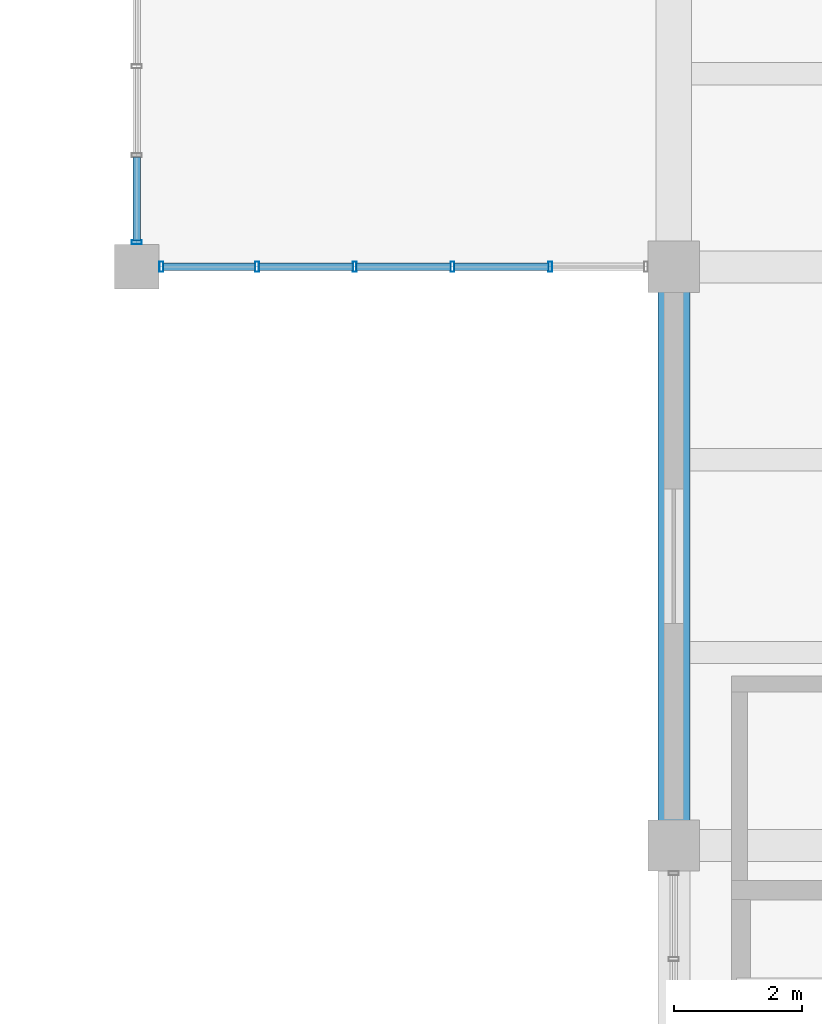
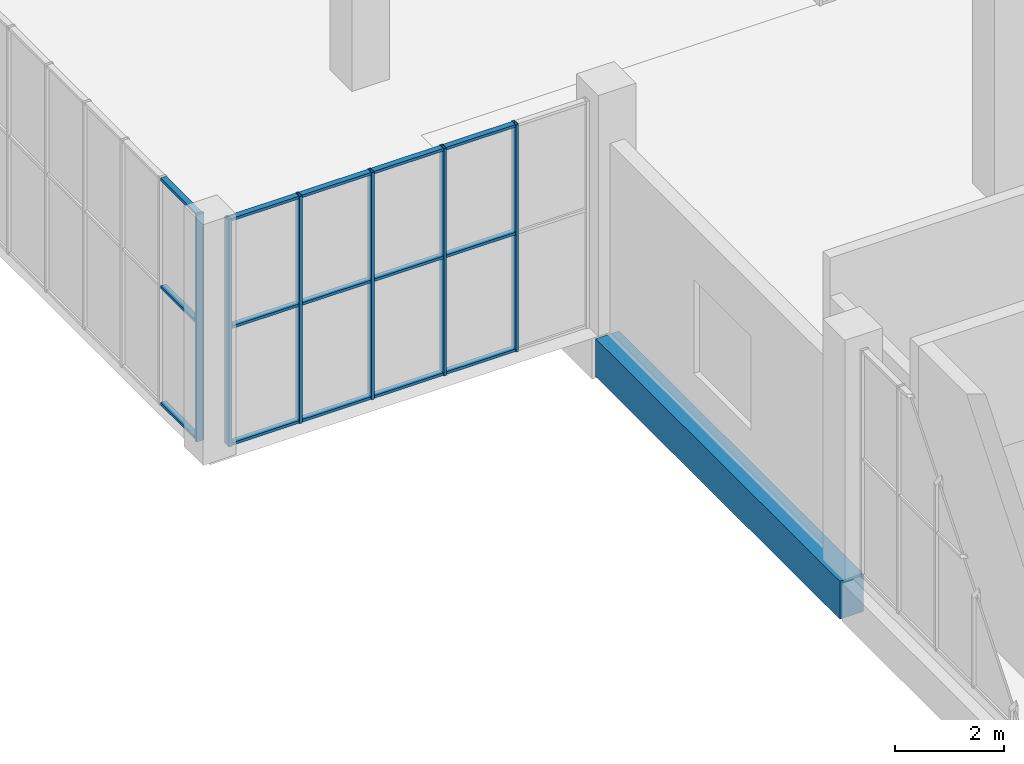
# One storey, part 5 of 91: 21 members, 1 beam, 2 elements without a shape of their own.
"""IFC4 building model written with IfcOpenShell, lengths in metres."""

from ifc_helpers import new_model, si_unit, direction, frame, origin, origin_2d, place, context, subcontext, project, spatial, rectangle, hollow_rectangle, extrude, material, material_profile, profile_set, type_object, element, aggregate, save


model = new_model("IFC4")

# Units and contexts
model_context = context("Model", 3, precision=1e-05, world=origin(), true_north=direction((0.0, 1.0)))
body_context = subcontext(model_context, "Body", "Model", "MODEL_VIEW")
ifc_project = project(units=[si_unit("LENGTHUNIT", "METRE"), si_unit("AREAUNIT", "SQUARE_METRE"), si_unit("VOLUMEUNIT", "CUBIC_METRE"), si_unit("PLANEANGLEUNIT", "RADIAN"), si_unit("MASSUNIT", "GRAM", prefix="KILO")], contexts=[model_context])

# Site, building, storey
site_placement = place(None, origin())
site = spatial("IfcSite", under=ifc_project, at=site_placement, CompositionType="ELEMENT")
building_placement = place(site_placement, origin())
building = spatial("IfcBuilding", under=site, at=building_placement, Name="Khurvash Pelagic Aquarium", CompositionType="ELEMENT")
storey_placement = place(building_placement, origin())
storey = spatial("IfcBuildingStorey", under=building, at=storey_placement, Name="L00", CompositionType="ELEMENT", Elevation=0.0)

# Curtain wall, member
ifc_material_1 = material(Name="Anodised aluminium and low-E laminated glass", Category="aluminium")
curtain_wall_type_1 = type_object("IfcCurtainWallType", Name="CW-05", PredefinedType="USERDEFINED", material=ifc_material_1)
curtain_wall_1_placement = place(storey_placement, origin())
curtain_wall_1 = element("IfcCurtainWall", 1, at=curtain_wall_1_placement, inside=storey, type_object=curtain_wall_type_1, Name="L00 Facade Unitised Curtain Wall CW-05 0073", ObjectType="UNITISED CURTAIN WALL", PredefinedType="USERDEFINED")
ifc_material_2 = material(Name="Extruded aluminium AW-6063-T6", Category="aluminium")
ifc_material_profile_1 = material_profile(ifc_material_2, hollow_rectangle(XDim=0.06005859375, YDim=0.159912109375, WallThickness=0.00390625, at=origin_2d()), Name="CWM60X160X4")
ifc_profile_set_1 = profile_set([ifc_material_profile_1], Name="Extruded aluminium AW-6063-T6")
member_type_1 = type_object("IfcMemberType", Name="CM-02", PredefinedType="MULLION", material=ifc_profile_set_1)
member_1_placement = place(storey_placement, frame((16.800048828125, 30.135009765625, 0.0), z_axis=(0.0, 0.0, 1.0), x_axis=(0.0, -1.0, 0.0)))
member_1 = element("IfcMember", 2, at=member_1_placement, type_object=member_type_1, Name="CW-05 mullion 7", PredefinedType="MULLION", context=body_context, shape_type="SweptSolid", body=[
    extrude(hollow_rectangle(XDim=0.06005859375, YDim=0.159912109375, WallThickness=0.00390625, at=origin_2d()), origin(), (0.0, 0.0, 1.0), 5.090087890625),
])

# Curtain wall, members
curtain_wall_type_2 = type_object("IfcCurtainWallType", Name="CW-02", PredefinedType="USERDEFINED", material=ifc_material_1)
curtain_wall_2_placement = place(storey_placement, origin())
curtain_wall_2 = element("IfcCurtainWall", 3, at=curtain_wall_2_placement, inside=storey, type_object=curtain_wall_type_2, Name="L00 Facade Unitised Curtain Wall CW-02 0074", ObjectType="UNITISED CURTAIN WALL", PredefinedType="USERDEFINED")
member_2_placement = place(storey_placement, frame((17.18505859375, 29.75, 0.0), z_axis=(0.0, 0.0, 1.0), x_axis=(1.0, 0.0, 0.0)))
member_2 = element("IfcMember", 4, at=member_2_placement, type_object=member_type_1, Name="CW-02 mullion 1", PredefinedType="MULLION", context=body_context, shape_type="SweptSolid", body=[
    extrude(hollow_rectangle(XDim=0.06005859375, YDim=0.159912109375, WallThickness=0.00390625, at=origin_2d()), origin(), (0.0, 0.0, 1.0), 5.090087890625),
])
member_3_placement = place(storey_placement, frame((18.68310546875, 29.75, 0.0), z_axis=(0.0, 0.0, 1.0), x_axis=(1.0, 0.0, 0.0)))
member_3 = element("IfcMember", 5, at=member_3_placement, type_object=member_type_1, Name="CW-02 mullion 2", PredefinedType="MULLION", context=body_context, shape_type="SweptSolid", body=[
    extrude(hollow_rectangle(XDim=0.06005859375, YDim=0.159912109375, WallThickness=0.00390625, at=origin_2d()), origin(), (0.0, 0.0, 1.0), 5.090087890625),
])
member_4_placement = place(storey_placement, frame((20.2109375, 29.75, 0.0), z_axis=(0.0, 0.0, 1.0), x_axis=(1.0, 0.0, 0.0)))
member_4 = element("IfcMember", 6, at=member_4_placement, type_object=member_type_1, Name="CW-02 mullion 3", PredefinedType="MULLION", context=body_context, shape_type="SweptSolid", body=[
    extrude(hollow_rectangle(XDim=0.06005859375, YDim=0.159912109375, WallThickness=0.00390625, at=origin_2d()), origin(), (0.0, 0.0, 1.0), 5.090087890625),
])
member_5_placement = place(storey_placement, frame((21.739013671875, 29.75, 0.0), z_axis=(0.0, 0.0, 1.0), x_axis=(1.0, 0.0, 0.0)))
member_5 = element("IfcMember", 7, at=member_5_placement, type_object=member_type_1, Name="CW-02 mullion 4", PredefinedType="MULLION", context=body_context, shape_type="SweptSolid", body=[
    extrude(hollow_rectangle(XDim=0.06005859375, YDim=0.159912109375, WallThickness=0.00390625, at=origin_2d()), origin(), (0.0, 0.0, 1.0), 5.090087890625),
])
member_6_placement = place(storey_placement, frame((23.26708984375, 29.75, 0.0), z_axis=(0.0, 0.0, 1.0), x_axis=(1.0, 0.0, 0.0)))
member_6 = element("IfcMember", 8, at=member_6_placement, type_object=member_type_1, Name="CW-02 mullion 5", PredefinedType="MULLION", context=body_context, shape_type="SweptSolid", body=[
    extrude(hollow_rectangle(XDim=0.06005859375, YDim=0.159912109375, WallThickness=0.00390625, at=origin_2d()), origin(), (0.0, 0.0, 1.0), 5.090087890625),
])

# Member
ifc_material_profile_2 = material_profile(ifc_material_2, hollow_rectangle(XDim=0.1201171875, YDim=0.06005859375, WallThickness=0.00390625, at=origin_2d()), Name="CWT120X60X4")
ifc_profile_set_2 = profile_set([ifc_material_profile_2], Name="Extruded aluminium AW-6063-T6")
member_type_2 = type_object("IfcMemberType", Name="CT-02", PredefinedType="USERDEFINED", material=ifc_profile_set_2)
member_7_placement = place(storey_placement, frame((16.800048828125, 31.465087890625, 0.030029296875), z_axis=(0.0, -1.0, 0.0), x_axis=(1.0, 0.0, 0.0)))
member_7 = element("IfcMember", 9, at=member_7_placement, type_object=member_type_2, Name="CW-05 transom 6.1", ObjectType="TRANSOM", PredefinedType="USERDEFINED", context=body_context, shape_type="SweptSolid", body=[
    extrude(hollow_rectangle(XDim=0.1201171875, YDim=0.06005859375, WallThickness=0.00390625, at=origin_2d()), origin(), (0.0, 0.0, 1.0), 1.300048828125),
])

member_8_placement = place(storey_placement, frame((16.800048828125, 31.465087890625, 2.64697265625), z_axis=(0.0, -1.0, 0.0), x_axis=(1.0, 0.0, 0.0)))
member_8 = element("IfcMember", 10, at=member_8_placement, type_object=member_type_2, Name="CW-05 transom 6.2", ObjectType="TRANSOM", PredefinedType="USERDEFINED", context=body_context, shape_type="SweptSolid", body=[
    extrude(hollow_rectangle(XDim=0.1201171875, YDim=0.06005859375, WallThickness=0.00390625, at=origin_2d()), origin(), (0.0, 0.0, 1.0), 1.300048828125),
])

member_9_placement = place(storey_placement, frame((16.800048828125, 31.465087890625, 5.06005859375), z_axis=(0.0, -1.0, 0.0), x_axis=(1.0, 0.0, 0.0)))
member_9 = element("IfcMember", 11, at=member_9_placement, type_object=member_type_2, Name="CW-05 transom 6.3", ObjectType="TRANSOM", PredefinedType="USERDEFINED", context=body_context, shape_type="SweptSolid", body=[
    extrude(hollow_rectangle(XDim=0.1201171875, YDim=0.06005859375, WallThickness=0.00390625, at=origin_2d()), origin(), (0.0, 0.0, 1.0), 1.300048828125),
])

aggregate(curtain_wall_1, [member_1, member_7, member_8, member_9])

member_10_placement = place(storey_placement, frame((17.215087890625, 29.75, 0.030029296875), z_axis=(1.0, 0.0, 0.0), x_axis=(0.0, 1.0, 0.0)))
member_10 = element("IfcMember", 12, at=member_10_placement, type_object=member_type_2, Name="CW-02 transom 1.1", ObjectType="TRANSOM", PredefinedType="USERDEFINED", context=body_context, shape_type="SweptSolid", body=[
    extrude(hollow_rectangle(XDim=0.1201171875, YDim=0.06005859375, WallThickness=0.00390625, at=origin_2d()), origin(), (0.0, 0.0, 1.0), 1.43798828125),
])

member_11_placement = place(storey_placement, frame((17.215087890625, 29.75, 2.64697265625), z_axis=(1.0, 0.0, 0.0), x_axis=(0.0, 1.0, 0.0)))
member_11 = element("IfcMember", 13, at=member_11_placement, type_object=member_type_2, Name="CW-02 transom 1.2", ObjectType="TRANSOM", PredefinedType="USERDEFINED", context=body_context, shape_type="SweptSolid", body=[
    extrude(hollow_rectangle(XDim=0.1201171875, YDim=0.06005859375, WallThickness=0.00390625, at=origin_2d()), origin(), (0.0, 0.0, 1.0), 1.43798828125),
])

member_12_placement = place(storey_placement, frame((17.215087890625, 29.75, 5.06005859375), z_axis=(1.0, 0.0, 0.0), x_axis=(0.0, 1.0, 0.0)))
member_12 = element("IfcMember", 14, at=member_12_placement, type_object=member_type_2, Name="CW-02 transom 1.3", ObjectType="TRANSOM", PredefinedType="USERDEFINED", context=body_context, shape_type="SweptSolid", body=[
    extrude(hollow_rectangle(XDim=0.1201171875, YDim=0.06005859375, WallThickness=0.00390625, at=origin_2d()), origin(), (0.0, 0.0, 1.0), 1.43798828125),
])

member_13_placement = place(storey_placement, frame((18.712890625, 29.75, 0.030029296875), z_axis=(1.0, 0.0, 0.0), x_axis=(0.0, 1.0, 0.0)))
member_13 = element("IfcMember", 15, at=member_13_placement, type_object=member_type_2, Name="CW-02 transom 2.1", ObjectType="TRANSOM", PredefinedType="USERDEFINED", context=body_context, shape_type="SweptSolid", body=[
    extrude(hollow_rectangle(XDim=0.1201171875, YDim=0.06005859375, WallThickness=0.00390625, at=origin_2d()), origin(), (0.0, 0.0, 1.0), 1.468017578125),
])

member_14_placement = place(storey_placement, frame((18.712890625, 29.75, 2.64697265625), z_axis=(1.0, 0.0, 0.0), x_axis=(0.0, 1.0, 0.0)))
member_14 = element("IfcMember", 16, at=member_14_placement, type_object=member_type_2, Name="CW-02 transom 2.2", ObjectType="TRANSOM", PredefinedType="USERDEFINED", context=body_context, shape_type="SweptSolid", body=[
    extrude(hollow_rectangle(XDim=0.1201171875, YDim=0.06005859375, WallThickness=0.00390625, at=origin_2d()), origin(), (0.0, 0.0, 1.0), 1.468017578125),
])

member_15_placement = place(storey_placement, frame((18.712890625, 29.75, 5.06005859375), z_axis=(1.0, 0.0, 0.0), x_axis=(0.0, 1.0, 0.0)))
member_15 = element("IfcMember", 17, at=member_15_placement, type_object=member_type_2, Name="CW-02 transom 2.3", ObjectType="TRANSOM", PredefinedType="USERDEFINED", context=body_context, shape_type="SweptSolid", body=[
    extrude(hollow_rectangle(XDim=0.1201171875, YDim=0.06005859375, WallThickness=0.00390625, at=origin_2d()), origin(), (0.0, 0.0, 1.0), 1.468017578125),
])

member_16_placement = place(storey_placement, frame((20.240966796875, 29.75, 0.030029296875), z_axis=(1.0, 0.0, 0.0), x_axis=(0.0, 1.0, 0.0)))
member_16 = element("IfcMember", 18, at=member_16_placement, type_object=member_type_2, Name="CW-02 transom 3.1", ObjectType="TRANSOM", PredefinedType="USERDEFINED", context=body_context, shape_type="SweptSolid", body=[
    extrude(hollow_rectangle(XDim=0.1201171875, YDim=0.06005859375, WallThickness=0.00390625, at=origin_2d()), origin(), (0.0, 0.0, 1.0), 1.468017578125),
])

member_17_placement = place(storey_placement, frame((20.240966796875, 29.75, 2.64697265625), z_axis=(1.0, 0.0, 0.0), x_axis=(0.0, 1.0, 0.0)))
member_17 = element("IfcMember", 19, at=member_17_placement, type_object=member_type_2, Name="CW-02 transom 3.2", ObjectType="TRANSOM", PredefinedType="USERDEFINED", context=body_context, shape_type="SweptSolid", body=[
    extrude(hollow_rectangle(XDim=0.1201171875, YDim=0.06005859375, WallThickness=0.00390625, at=origin_2d()), origin(), (0.0, 0.0, 1.0), 1.468017578125),
])

member_18_placement = place(storey_placement, frame((20.240966796875, 29.75, 5.06005859375), z_axis=(1.0, 0.0, 0.0), x_axis=(0.0, 1.0, 0.0)))
member_18 = element("IfcMember", 20, at=member_18_placement, type_object=member_type_2, Name="CW-02 transom 3.3", ObjectType="TRANSOM", PredefinedType="USERDEFINED", context=body_context, shape_type="SweptSolid", body=[
    extrude(hollow_rectangle(XDim=0.1201171875, YDim=0.06005859375, WallThickness=0.00390625, at=origin_2d()), origin(), (0.0, 0.0, 1.0), 1.468017578125),
])

member_19_placement = place(storey_placement, frame((21.76904296875, 29.75, 0.030029296875), z_axis=(1.0, 0.0, 0.0), x_axis=(0.0, 1.0, 0.0)))
member_19 = element("IfcMember", 21, at=member_19_placement, type_object=member_type_2, Name="CW-02 transom 4.1", ObjectType="TRANSOM", PredefinedType="USERDEFINED", context=body_context, shape_type="SweptSolid", body=[
    extrude(hollow_rectangle(XDim=0.1201171875, YDim=0.06005859375, WallThickness=0.00390625, at=origin_2d()), origin(), (0.0, 0.0, 1.0), 1.468017578125),
])

member_20_placement = place(storey_placement, frame((21.76904296875, 29.75, 2.64697265625), z_axis=(1.0, 0.0, 0.0), x_axis=(0.0, 1.0, 0.0)))
member_20 = element("IfcMember", 22, at=member_20_placement, type_object=member_type_2, Name="CW-02 transom 4.2", ObjectType="TRANSOM", PredefinedType="USERDEFINED", context=body_context, shape_type="SweptSolid", body=[
    extrude(hollow_rectangle(XDim=0.1201171875, YDim=0.06005859375, WallThickness=0.00390625, at=origin_2d()), origin(), (0.0, 0.0, 1.0), 1.468017578125),
])

member_21_placement = place(storey_placement, frame((21.76904296875, 29.75, 5.06005859375), z_axis=(1.0, 0.0, 0.0), x_axis=(0.0, 1.0, 0.0)))
member_21 = element("IfcMember", 23, at=member_21_placement, type_object=member_type_2, Name="CW-02 transom 4.3", ObjectType="TRANSOM", PredefinedType="USERDEFINED", context=body_context, shape_type="SweptSolid", body=[
    extrude(hollow_rectangle(XDim=0.1201171875, YDim=0.06005859375, WallThickness=0.00390625, at=origin_2d()), origin(), (0.0, 0.0, 1.0), 1.468017578125),
])

aggregate(curtain_wall_2, [member_2, member_3, member_4, member_5, member_6, member_10, member_11, member_12, member_13, member_14, member_15, member_16, member_17, member_18, member_19, member_20, member_21])

# Beam
ifc_material_3 = material(Name="Concrete C40/50", Category="concrete")
ifc_material_profile_3 = material_profile(ifc_material_3, rectangle(XDim=0.5, YDim=0.85009765625, at=origin_2d()), Name="RC500X850")
ifc_profile_set_3 = profile_set([ifc_material_profile_3], Name="Concrete C40/50")
beam_type = type_object("IfcBeamType", Name="SEB-03", PredefinedType="SPANDREL", material=ifc_profile_set_3)
beam_placement = place(storey_placement, frame((25.199951171875, 20.739990234375, -0.7451171875), z_axis=(0.0, 1.0, 0.0), x_axis=(-1.0, 0.0, 0.0)))
element("IfcBeam", 24, at=beam_placement, inside=storey, type_object=beam_type, Name="L00 Primary Girder SEB-03 00081", PredefinedType="SPANDREL", context=body_context, shape_type="SweptSolid", body=[
    extrude(rectangle(XDim=0.5, YDim=0.85009765625, at=origin_2d()), origin(), (0.0, 0.0, 1.0), 8.969970703125),
])

save(model, "model.ifc")
